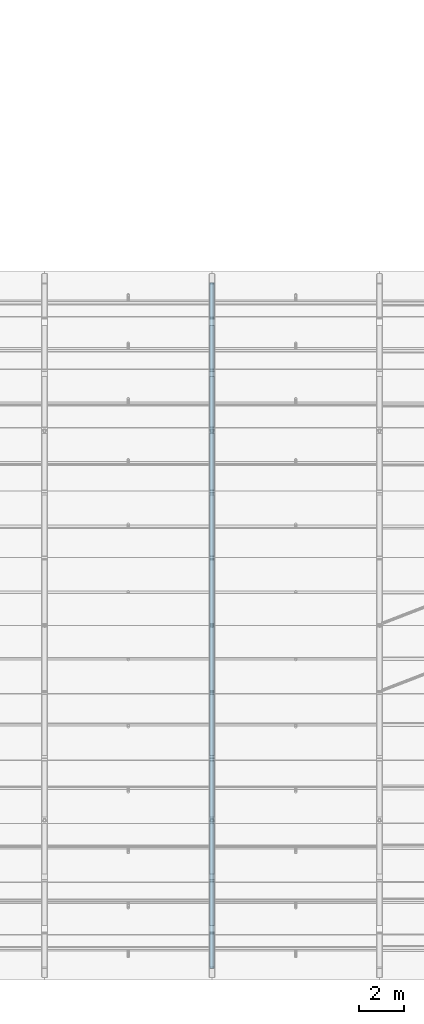
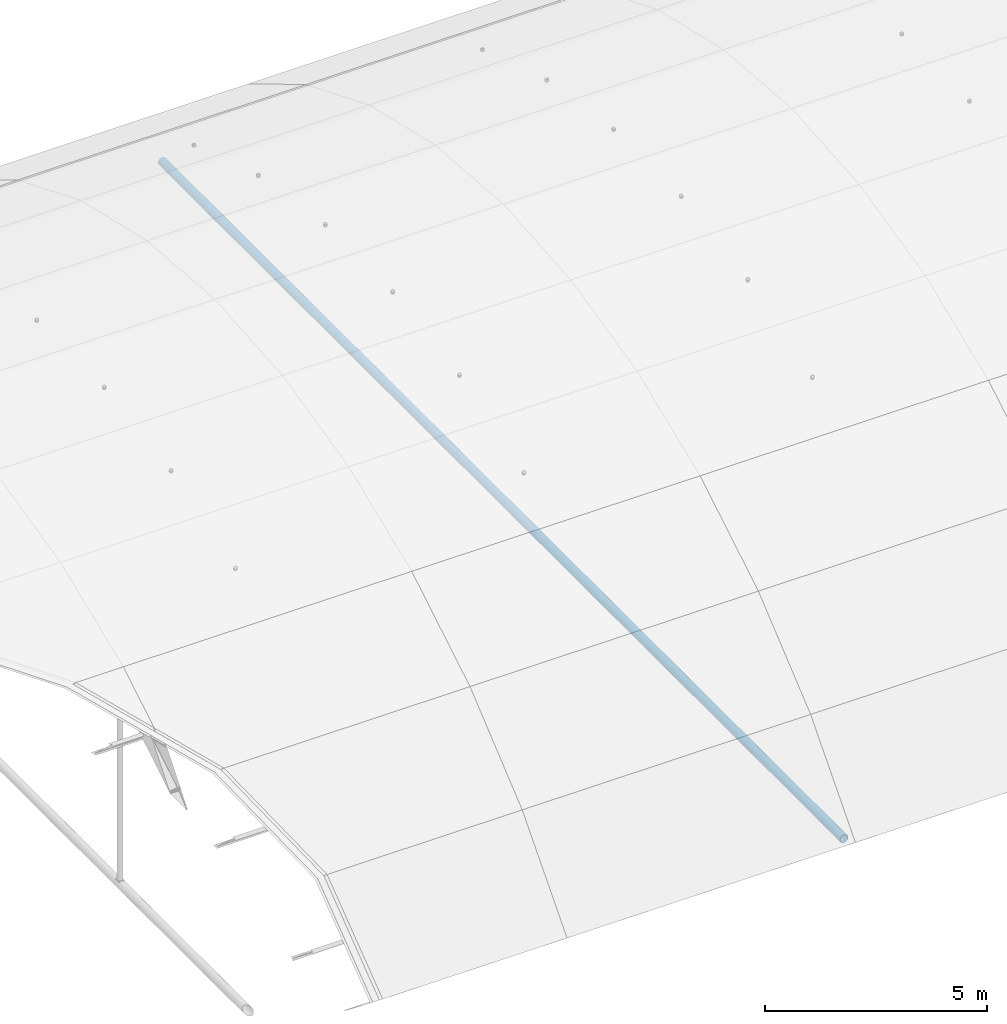
# One storey, part 22 of 77: 1 member.
"""IFC4 building model written with IfcOpenShell, lengths in metres."""

from ifc_helpers import new_model, si_unit, direction, frame, origin, origin_2d, place, context, subcontext, project, spatial, hollow_circle, extrude, material, material_profile, profile_set, type_object, element, save


model = new_model("IFC4")

# Units and contexts
model_context = context("Model", 3, precision=1e-05, world=origin(), true_north=direction((0.0, 1.0)))
body_context = subcontext(model_context, "Body", "Model", "MODEL_VIEW")
ifc_project = project(units=[si_unit("LENGTHUNIT", "METRE"), si_unit("AREAUNIT", "SQUARE_METRE"), si_unit("VOLUMEUNIT", "CUBIC_METRE"), si_unit("PLANEANGLEUNIT", "RADIAN"), si_unit("MASSUNIT", "GRAM", prefix="KILO")], contexts=[model_context])

# Site, building, storey
site_placement = place(None, origin())
site = spatial("IfcSite", under=ifc_project, at=site_placement, CompositionType="ELEMENT")
building_placement = place(site_placement, origin())
building = spatial("IfcBuilding", under=site, at=building_placement, Name="Yukiwa Park Conservatory and Herbarium", CompositionType="ELEMENT")
storey_placement = place(building_placement, frame((0.0, 0.0, 13.199951171875)))
storey = spatial("IfcBuildingStorey", under=building, at=storey_placement, Name="L03", CompositionType="ELEMENT", Elevation=13.199951171875)

# Member
ifc_material = material(Name="Steel Q355D", Category="steel")
ifc_material_profile = material_profile(ifc_material, hollow_circle(Radius=0.109619140625, WallThickness=0.011962890625, at=origin_2d()), Name="CHS 219.1x12")
ifc_profile_set = profile_set([ifc_material_profile], Name="Steel Q355D")
member_type = type_object("IfcMemberType", Name="MB-VLT-TIE219", PredefinedType="COLLAR", material=ifc_profile_set)
member_placement = place(storey_placement, frame((45.0, 0.2451171875, -4.199951171875), z_axis=(0.0, 1.0, 0.0), x_axis=(-1.0, 0.0, 0.0)))
element("IfcMember", 1, at=member_placement, inside=storey, type_object=member_type, Name="Conservatory vault springing tension tie 7", PredefinedType="COLLAR", context=body_context, shape_type="SweptSolid", body=[
    extrude(hollow_circle(Radius=0.109619140625, WallThickness=0.011962890625, at=origin_2d()), origin(), (0.0, 0.0, 1.0), 30.7099609375),
])

save(model, "model.ifc")
